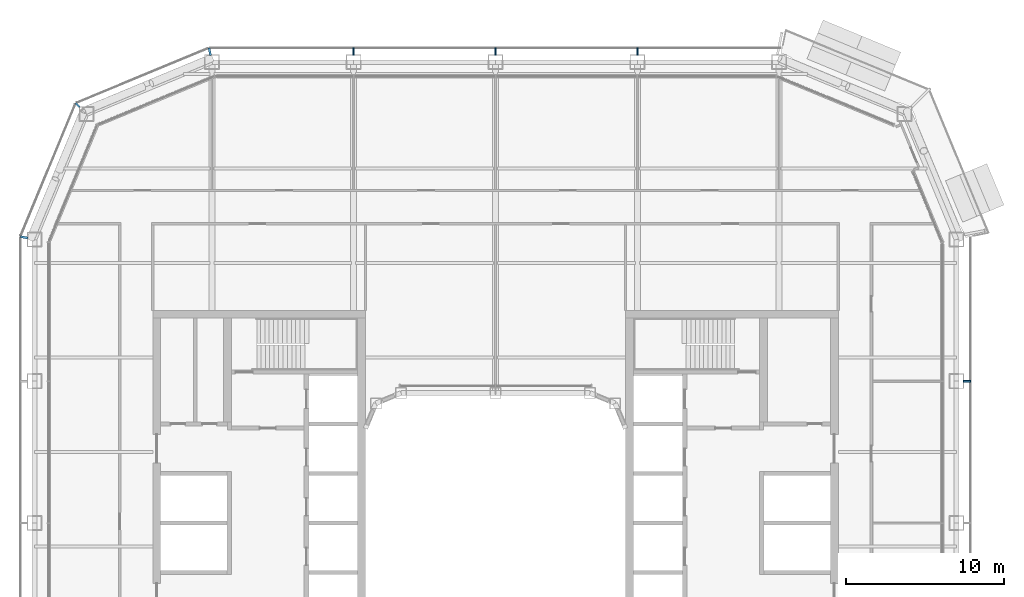
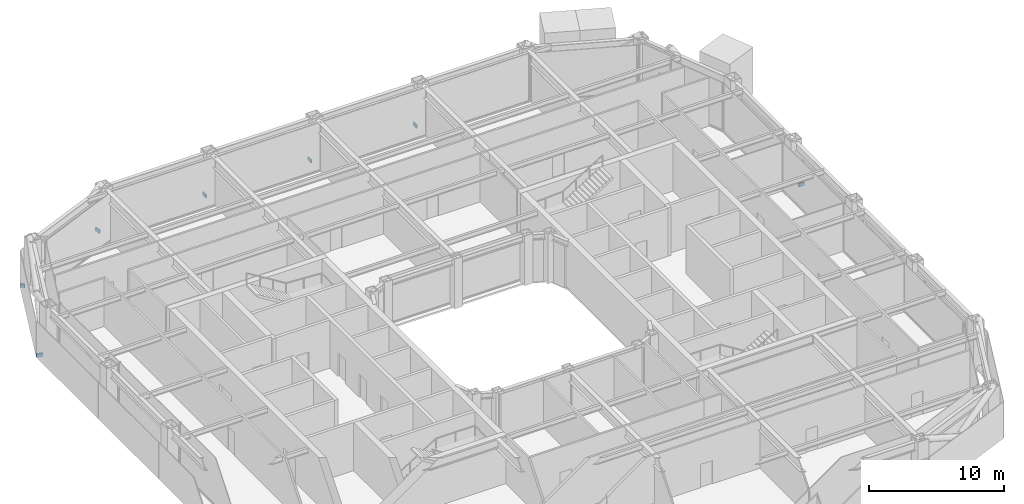
# One storey, part 16 of 23: 7 discrete accessories.
"""IFC4 building model written with IfcOpenShell, lengths in metres."""

import ifcopenshell
import ifcopenshell.guid

model = None  # the IFC model being written
_history = None  # IfcOwnerHistory: only IFC2X3 demands one
_inside = {}  # id of a spatial element -> (the spatial element, [elements in it])
_under = {}  # id of a project, library or spatial element -> (it, [spatial elements below it])
_declared = {}  # id of a project -> (the project, [libraries it declares])
_typed = {}  # id of a type object -> (the type object, [elements of that type])
_made_of = {}  # id of a material, layer set ... -> (it, [elements and type objects made of it])


def new_model(schema):
    """Start an empty IFC model of exactly this schema.

    Asked for "IFC4X3", IfcOpenShell would pick the latest addendum, in which some entities
    have other attributes; the version numbers below select the first issue.
    IFC2X3 requires an IfcOwnerHistory on every rooted entity: one is made here for all.
    """
    global model, _history
    if schema == "IFC4X3":
        model = ifcopenshell.file(schema_version=(4, 3, 0, 0))
    else:
        model = ifcopenshell.file(schema=schema)
    _inside.clear()
    _under.clear()
    _declared.clear()
    _typed.clear()
    _made_of.clear()
    _history = None
    if model.schema == "IFC2X3":
        org = make("IfcOrganization", Name="unknown")
        user = make(
            "IfcPersonAndOrganization",
            ThePerson=make("IfcPerson", FamilyName="unknown"),
            TheOrganization=org,
        )
        app = make(
            "IfcApplication",
            ApplicationDeveloper=org,
            Version="unknown",
            ApplicationFullName="unknown",
            ApplicationIdentifier="unknown",
        )
        _history = make(
            "IfcOwnerHistory",
            OwningUser=user,
            OwningApplication=app,
            ChangeAction="ADDED",
            CreationDate=0,
        )
    return model


def make(cls, **values):
    """One entity of the class cls with the attributes given. An attribute that is None is left unset."""
    return model.create_entity(
        cls, **{name: value for name, value in values.items() if value is not None}
    )


def rooted(cls, **values):
    """An entity with a GlobalId (a new one), such as an element, a storey or a relation."""
    return make(cls, GlobalId=ifcopenshell.guid.new(), OwnerHistory=_history, **values)


def si_unit(unit_type, name, prefix=None):
    """IfcSIUnit, for example si_unit("LENGTHUNIT", "METRE", prefix="MILLI")."""
    return make("IfcSIUnit", UnitType=unit_type, Prefix=prefix, Name=name)


def assignment(units):
    """IfcUnitAssignment: the units of a project."""
    return None if units is None else make("IfcUnitAssignment", Units=units)


def point(xyz):
    """IfcCartesianPoint."""
    return None if xyz is None else make("IfcCartesianPoint", Coordinates=xyz)


def direction(xyz):
    """IfcDirection."""
    return None if xyz is None else make("IfcDirection", DirectionRatios=xyz)


def frame(location, z_axis=None, x_axis=None):
    """IfcAxis2Placement3D, a coordinate frame: its origin and axes. An axis left out is left unset."""
    return make(
        "IfcAxis2Placement3D",
        Location=point(location),
        Axis=direction(z_axis),
        RefDirection=direction(x_axis),
    )


def frame_2d(location, x_axis=None):
    """IfcAxis2Placement2D, a coordinate frame in the plane: its origin and x axis."""
    return make(
        "IfcAxis2Placement2D", Location=point(location), RefDirection=direction(x_axis)
    )


def origin():
    """The frame at (0, 0, 0) with its axes left unset."""
    return frame((0.0, 0.0, 0.0))


def origin_2d():
    """The frame at (0, 0) in the plane with its x axis left unset."""
    return frame_2d((0.0, 0.0))


def place(relative_to, where):
    """IfcLocalPlacement: puts the frame where relative to a parent placement (None: the world)."""
    return make(
        "IfcLocalPlacement", PlacementRelTo=relative_to, RelativePlacement=where
    )


def context(
    kind, dimensions, precision=None, world=None, true_north=None, identifier=None
):
    """IfcGeometricRepresentationContext, for example the 3D "Model" context."""
    return make(
        "IfcGeometricRepresentationContext",
        ContextIdentifier=identifier,
        ContextType=kind,
        CoordinateSpaceDimension=dimensions,
        Precision=precision,
        WorldCoordinateSystem=world,
        TrueNorth=true_north,
    )


def subcontext(parent, identifier, kind, view, scale=None):
    """IfcGeometricRepresentationSubContext, for example "Body" below "Model"."""
    return make(
        "IfcGeometricRepresentationSubContext",
        ContextIdentifier=identifier,
        ContextType=kind,
        ParentContext=parent,
        TargetScale=scale,
        TargetView=view,
    )


def project(units=None, contexts=None):
    """IfcProject with its units and contexts."""
    return rooted(
        "IfcProject",
        Name="project",
        RepresentationContexts=contexts,
        UnitsInContext=assignment(units),
    )


def spatial(cls, under=None, at=None, **own):
    """A site, building, storey or space (cls), placed at a placement, below another one or the project."""
    s = rooted(cls, ObjectPlacement=at, **own)
    if under is not None:
        _under.setdefault(under.id(), (under, []))[1].append(s)
    return s


def profile(cls, at=None, kind="AREA", **sizes):
    """A parametric profile (cls). Its sizes go by their IFC names, for example OverallWidth=200.0."""
    return make(cls, ProfileType=kind, Position=at, **sizes)


def rectangle(**sizes):
    """IfcRectangleProfileDef."""
    return profile("IfcRectangleProfileDef", **sizes)


def extrude(swept, where, along, depth):
    """IfcExtrudedAreaSolid: the profile swept, set in the frame where, extruded along a direction by depth."""
    return make(
        "IfcExtrudedAreaSolid",
        SweptArea=swept,
        Position=where,
        ExtrudedDirection=direction(along),
        Depth=depth,
    )


def shape(context_of_items, identifier, shape_type, items):
    """IfcShapeRepresentation: the items that make up one representation, for example the "Body"."""
    return make(
        "IfcShapeRepresentation",
        ContextOfItems=context_of_items,
        RepresentationIdentifier=identifier,
        RepresentationType=shape_type,
        Items=items,
    )


def material(Name=None, Category=None):
    """IfcMaterial."""
    return make("IfcMaterial", Name=Name, Category=Category)


def made_of(thing, what):
    """Note that an element or type object is made of a material, layer set ...; save() writes the relation."""
    if what is not None:
        _made_of.setdefault(what.id(), (what, []))[1].append(thing)
    return thing


def type_object(cls, material=None, **own):
    """A type object (cls), such as IfcWallType, which elements share."""
    return made_of(rooted(cls, **own), material)


def element(
    cls,
    number,
    at=None,
    inside=None,
    cuts=None,
    type_object=None,
    material=None,
    context=None,
    identifier="Body",
    shape_type=None,
    held_by="IfcProductDefinitionShape",
    body=None,
    shapes=None,
    **own,
):
    """One element of the class cls, such as IfcWall. Its Tag is "e" and its number.

    at: its placement. inside: the storey or other place that contains it. cuts: it is an
    opening in that element (IfcRelVoidsElement). A single representation is given by context,
    identifier, shape_type and body (its items); several are given by shapes. held_by: the class
    of the entity that holds the representations. save() writes the other relations.
    """
    e = rooted(cls, Tag="e%d" % number, ObjectPlacement=at, **own)
    if body is not None:
        shapes = [shape(context, identifier, shape_type, body)]
    if shapes is not None:
        e.Representation = make(held_by, Representations=shapes)
    if inside is not None:
        _inside.setdefault(inside.id(), (inside, []))[1].append(e)
    if cuts is not None:
        rooted(
            "IfcRelVoidsElement", RelatingBuildingElement=cuts, RelatedOpeningElement=e
        )
    if type_object is not None:
        _typed.setdefault(type_object.id(), (type_object, []))[1].append(e)
    return made_of(e, material)


def aggregate(whole, parts):
    """IfcRelAggregates: a whole, such as a stair, and the parts it consists of."""
    return rooted("IfcRelAggregates", RelatingObject=whole, RelatedObjects=parts)


def save(model, path):
    """Write the relations noted so far, then the file.

    IfcRelAggregates (storeys below a building ...), IfcRelContainedInSpatialStructure (elements
    in a storey), IfcRelDefinesByType, IfcRelAssociatesMaterial and IfcRelDeclares: one each for
    every whole, place, type object, material and project.
    """
    for whole, parts in _under.values():
        aggregate(whole, parts)
    for where, things in _inside.values():
        rooted(
            "IfcRelContainedInSpatialStructure",
            RelatedElements=things,
            RelatingStructure=where,
        )
    for kind, things in _typed.values():
        rooted("IfcRelDefinesByType", RelatedObjects=things, RelatingType=kind)
    for what, things in _made_of.values():
        rooted("IfcRelAssociatesMaterial", RelatedObjects=things, RelatingMaterial=what)
    for by, libraries in _declared.values():
        rooted("IfcRelDeclares", RelatingContext=by, RelatedDefinitions=libraries)
    model.write(path)


model = new_model("IFC4")

# Units and contexts
model_context = context("Model", 3, precision=1e-05, world=origin(), true_north=direction((0.0, 1.0)))
body_context = subcontext(model_context, "Body", "Model", "MODEL_VIEW")
ifc_project = project(units=[si_unit("LENGTHUNIT", "METRE"), si_unit("AREAUNIT", "SQUARE_METRE"), si_unit("VOLUMEUNIT", "CUBIC_METRE"), si_unit("PLANEANGLEUNIT", "RADIAN"), si_unit("MASSUNIT", "GRAM", prefix="KILO")], contexts=[model_context])

# Site, building, storey
site_placement = place(None, origin())
site = spatial("IfcSite", under=ifc_project, at=site_placement, CompositionType="ELEMENT")
building_placement = place(site_placement, origin())
building = spatial("IfcBuilding", under=site, at=building_placement, Name="Siwar Civic Tower", CompositionType="ELEMENT")
storey_placement = place(building_placement, frame((0.0, 0.0, 131.699951171875)))
storey = spatial("IfcBuildingStorey", under=building, at=storey_placement, Name="L28", CompositionType="ELEMENT", Elevation=131.699951171875)

# Discrete accessories
ifc_material = material(Name="Stainless steel 316", Category="steel")
discrete_accessory_type = type_object("IfcDiscreteAccessoryType", Name="ENV-BRACKET", PredefinedType="BRACKET", material=ifc_material)
for number, where, z_axis, x_axis, name in (
    (1, (29.9150390625, 9.0, -0.14990234375), (0.0, 0.0, 1.0), (1.0, 0.0, 0.0), "Bracket outer skin joint E-03"),
    (2, (9.0, 29.9150390625, -0.14990234375), (0.0, 0.0, 1.0), (0.0, 1.0, 0.0), "Bracket outer skin joint N-01"),
    (3, (0.0, 29.9150390625, -0.14990234375), (0.0, 0.0, 1.0), (0.0, 1.0, 0.0), "Bracket outer skin joint N-02"),
    (4, (-9.0, 29.9150390625, -0.14990234375), (0.0, 0.0, 1.0), (0.0, 1.0, 0.0), "Bracket outer skin joint N-03"),
):
    element("IfcDiscreteAccessory", number, at=place(storey_placement, frame(where, z_axis=z_axis, x_axis=x_axis)), inside=storey, type_object=discrete_accessory_type, Name=name, PredefinedType="BRACKET", context=body_context, shape_type="SweptSolid", body=[
        extrude(rectangle(XDim=0.469970703125, YDim=0.10009765625, at=origin_2d()), origin(), (0.0, 0.0, 1.0), 0.300048828125),
    ])
discrete_accessory_1_placement = place(storey_placement, frame((-18.13232421875, 29.915283203125, -0.14990234375), z_axis=(0.0, 0.0, 1.0), x_axis=(-0.195090322016, 0.980785280403, 0.0)))
element("IfcDiscreteAccessory", 5, at=discrete_accessory_1_placement, inside=storey, type_object=discrete_accessory_type, Name="Bracket outer skin joint V07", PredefinedType="BRACKET", context=body_context, shape_type="SweptSolid", body=[
    extrude(rectangle(XDim=0.478759765625, YDim=0.13720703125, at=origin_2d()), origin(), (0.0, 0.0, 1.0), 0.300048828125),
])
discrete_accessory_2_placement = place(storey_placement, frame((-26.517333984375, 26.517333984375, -0.14990234375), z_axis=(0.0, 0.0, 1.0), x_axis=(-0.707106781187, 0.707106781187, 0.0)))
element("IfcDiscreteAccessory", 6, at=discrete_accessory_2_placement, inside=storey, type_object=discrete_accessory_type, Name="Bracket outer skin joint V08", PredefinedType="BRACKET", context=body_context, shape_type="SweptSolid", body=[
    extrude(rectangle(XDim=0.357666015625, YDim=0.12939453125, at=origin_2d()), origin(), (0.0, 0.0, 1.0), 0.300048828125),
])
discrete_accessory_3_placement = place(storey_placement, frame((-29.915283203125, 18.13232421875, -0.14990234375), z_axis=(0.0, 0.0, 1.0), x_axis=(-0.980785280403, 0.195090322016, 0.0)))
element("IfcDiscreteAccessory", 7, at=discrete_accessory_3_placement, inside=storey, type_object=discrete_accessory_type, Name="Bracket outer skin joint V09", PredefinedType="BRACKET", context=body_context, shape_type="SweptSolid", body=[
    extrude(rectangle(XDim=0.478759765625, YDim=0.13720703125, at=origin_2d()), origin(), (0.0, 0.0, 1.0), 0.300048828125),
])

save(model, "model.ifc")
